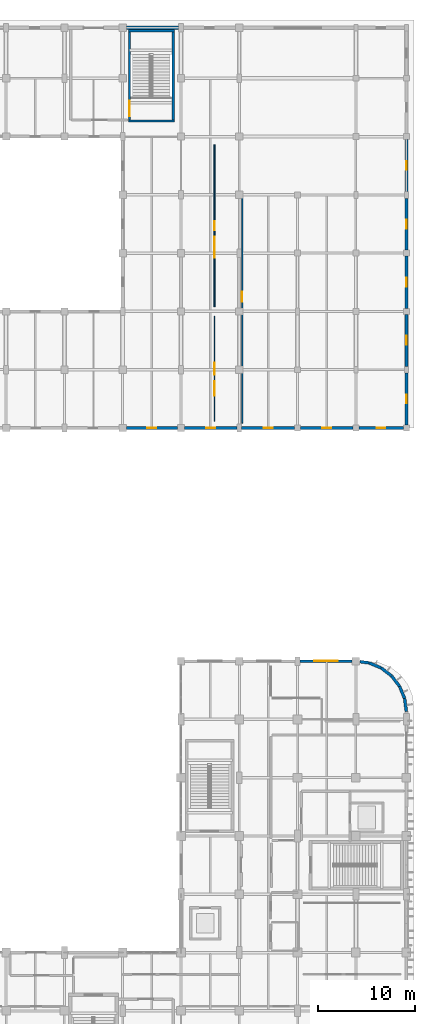
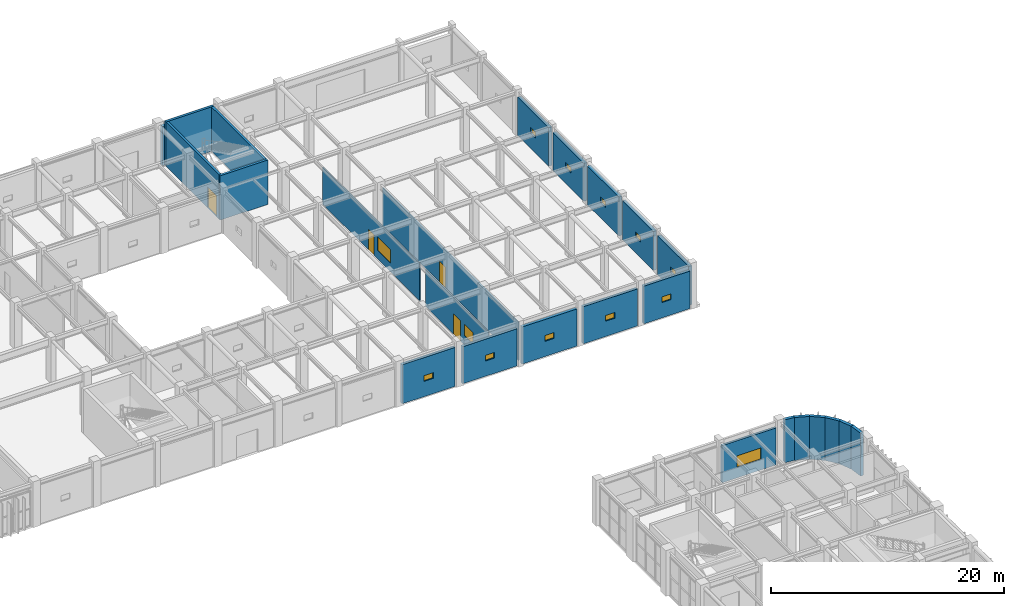
# One storey, part 52 of 76: 25 walls, 13 windows, 4 doors, 17 openings.
"""IFC4 building model written with IfcOpenShell, lengths in metres."""

from ifc_helpers import new_model, si_unit, direction, frame, frame_2d, origin, place, context, subcontext, project, spatial, rectangle, extrude, material, layer, layer_set, type_object, element, fill, save


model = new_model("IFC4")

# Units and contexts
model_context = context("Model", 3, precision=1e-05, world=origin(), true_north=direction((0.0, 1.0)))
body_context = subcontext(model_context, "Body", "Model", "MODEL_VIEW")
ifc_project = project(units=[si_unit("LENGTHUNIT", "METRE"), si_unit("AREAUNIT", "SQUARE_METRE"), si_unit("VOLUMEUNIT", "CUBIC_METRE"), si_unit("PLANEANGLEUNIT", "RADIAN"), si_unit("MASSUNIT", "GRAM", prefix="KILO")], contexts=[model_context])

# Site, building, storey
site_placement = place(None, origin())
site = spatial("IfcSite", under=ifc_project, at=site_placement, CompositionType="ELEMENT")
building_placement = place(site_placement, origin())
building = spatial("IfcBuilding", under=site, at=building_placement, Name="Varnakota Square Police Headquarters", CompositionType="ELEMENT")
storey_placement = place(building_placement, origin())
storey = spatial("IfcBuildingStorey", under=building, at=storey_placement, Name="L00", CompositionType="ELEMENT", Elevation=0.0)

# Walls
ifc_material_1 = material(Name="Concrete M40", Category="concrete")
ifc_layer_1 = layer(ifc_material_1, 0.22998046875, Name="Concrete M40")
ifc_layer_set_1 = layer_set([ifc_layer_1], Name="Concrete M40")
wall_type_1 = type_object("IfcWallType", Name="WL-CORE-230", PredefinedType="SHEAR", material=ifc_layer_set_1)
wall_1_placement = place(storey_placement, frame((132.5849609375, 100.60009765625, 0.0), z_axis=(0.0, 0.0, 1.0), x_axis=(1.0, 0.0, 0.0)))
element("IfcWall", 1, at=wall_1_placement, inside=storey, type_object=wall_type_1, Name="Core C8 shear wall L00 S", PredefinedType="SHEAR", context=body_context, shape_type="SweptSolid", body=[
    extrude(rectangle(XDim=4.72998046875, YDim=0.22998046875, at=frame_2d((2.364990234375, 0.0))), origin(), (0.0, 0.0, 1.0), 4.659912109375),
])
wall_2_placement = place(storey_placement, frame((137.199951171875, 100.485107421875, 0.0), z_axis=(0.0, 0.0, 1.0), x_axis=(0.0, 1.0, 0.0)))
element("IfcWall", 2, at=wall_2_placement, inside=storey, type_object=wall_type_1, Name="Core C8 shear wall L00 E", PredefinedType="SHEAR", context=body_context, shape_type="SweptSolid", body=[
    extrude(rectangle(XDim=9.52978515625, YDim=0.22998046875, at=frame_2d((4.764892578125, 0.0))), origin(), (0.0, 0.0, 1.0), 4.659912109375),
])
wall_3_placement = place(storey_placement, frame((137.31494140625, 109.89990234375, 0.0), z_axis=(0.0, 0.0, 1.0), x_axis=(-1.0, 0.0, 0.0)))
element("IfcWall", 3, at=wall_3_placement, inside=storey, type_object=wall_type_1, Name="Core C8 shear wall L00 N", PredefinedType="SHEAR", context=body_context, shape_type="SweptSolid", body=[
    extrude(rectangle(XDim=4.72998046875, YDim=0.22998046875, at=frame_2d((2.364990234375, 0.0))), origin(), (0.0, 0.0, 1.0), 4.659912109375),
])

# Wall, opening, door
wall_4_placement = place(storey_placement, frame((132.699951171875, 110.014892578125, 0.0), z_axis=(0.0, 0.0, 1.0), x_axis=(0.0, -1.0, 0.0)))
wall_4 = element("IfcWall", 4, at=wall_4_placement, inside=storey, type_object=wall_type_1, Name="Core C8 shear wall L00 W", PredefinedType="SHEAR", context=body_context, shape_type="SweptSolid", body=[
    extrude(rectangle(XDim=9.52978515625, YDim=0.22998046875, at=frame_2d((4.764892578125, 0.0))), origin(), (0.0, 0.0, 1.0), 4.659912109375),
])
opening_1_placement = place(wall_4_placement, frame((7.3349609375, 0.0, 0.0)))
opening_1 = element("IfcOpeningElement", 5, at=opening_1_placement, cuts=wall_4, Name="Opening SD114", PredefinedType="OPENING", context=body_context, shape_type="SweptSolid", body=[
    extrude(rectangle(XDim=1.60009765625, YDim=2.199951171875, at=frame_2d((0.800048828125, 1.10009765625))), frame((0.0, 0.125, 0.0), z_axis=(0.0, -1.0, 0.0), x_axis=(1.0, 0.0, 0.0)), (0.0, 0.0, 1.0), 0.25),
])
ifc_material_2 = material(Name="Powder-Coated Galvanised Steel", Category="steel")
door_type_1 = type_object("IfcDoorType", Name="DR-ST-160", OperationType="NOTDEFINED", PredefinedType="DOOR", material=ifc_material_2)
door_1_placement = place(opening_1_placement, origin())
door_1 = element("IfcDoor", 6, at=door_1_placement, inside=storey, type_object=door_type_1, Name="Protected stair door SD114", OperationType="DOUBLE_DOOR_SINGLE_SWING", OverallHeight=2.199951171875, OverallWidth=1.60009765625, PredefinedType="DOOR", context=body_context, shape_type="SweptSolid", body=[
    extrude(rectangle(XDim=1.60009765625, YDim=2.199951171875, at=frame_2d((0.800048828125, 1.10009765625))), frame((0.0, 0.02490234375, 0.0), z_axis=(0.0, -1.0, 0.0), x_axis=(1.0, 0.0, 0.0)), (0.0, 0.0, 1.0), 0.050048828125),
])
fill(opening_1, door_1)

# Wall, opening, window
ifc_layer_2 = layer(ifc_material_1, 0.239990234375, Name="Concrete M40")
ifc_layer_set_2 = layer_set([ifc_layer_2], Name="Concrete M40")
wall_type_2 = type_object("IfcWallType", Name="WL-EXT-240", PredefinedType="SOLIDWALL", material=ifc_layer_set_2)
wall_5_placement = place(storey_placement, frame((150.25390625, 45.0, 0.0), z_axis=(0.0, 0.0, 1.0), x_axis=(1.0, 0.0, 0.0)))
wall_5 = element("IfcWall", 7, at=wall_5_placement, inside=storey, type_object=wall_type_2, Name="Exterior wall EW-L00-0122", PredefinedType="SOLIDWALL", context=body_context, shape_type="SweptSolid", body=[
    extrude(rectangle(XDim=5.3671875, YDim=0.239990234375, at=frame_2d((2.68359375, 0.0))), origin(), (0.0, 0.0, 1.0), 3.889892578125),
])
opening_2_placement = place(wall_5_placement, frame((1.4833984375, 0.0, 1.10009765625)))
opening_2 = element("IfcOpeningElement", 8, at=opening_2_placement, cuts=wall_5, Name="Opening W06", PredefinedType="OPENING", context=body_context, shape_type="SweptSolid", body=[
    extrude(rectangle(XDim=2.39990234375, YDim=1.199951171875, at=frame_2d((1.199951171875, 0.60009765625))), frame((0.0, 0.1298828125, 0.0), z_axis=(0.0, -1.0, 0.0), x_axis=(1.0, 0.0, 0.0)), (0.0, 0.0, 1.0), 0.260009765625),
])
ifc_material_3 = material(Name="Thermally Broken Aluminium Double-Glazed Window", Category="aluminium")
window_type_1 = type_object("IfcWindowType", Name="WIN-06", PartitioningType="SINGLE_PANEL", PredefinedType="WINDOW", material=ifc_material_3)
window_1_placement = place(opening_2_placement, origin())
window_1 = element("IfcWindow", 9, at=window_1_placement, inside=storey, type_object=window_type_1, Name="Window WN-L00-0018", OverallHeight=1.199951171875, OverallWidth=2.39990234375, PartitioningType="SINGLE_PANEL", PredefinedType="WINDOW", context=body_context, shape_type="SweptSolid", body=[
    extrude(rectangle(XDim=2.39990234375, YDim=1.199951171875, at=frame_2d((1.199951171875, 0.60009765625))), frame((0.0, 0.030029296875, 0.0), z_axis=(0.0, -1.0, 0.0), x_axis=(1.0, 0.0, 0.0)), (0.0, 0.0, 1.0), 0.06005859375),
])
fill(opening_2, window_1)

# Walls
ifc_material_4 = material(Name="Precast concrete M40", Category="concrete")
ifc_layer_3 = layer(ifc_material_4, 0.300048828125, Name="Precast concrete M40")
ifc_layer_set_3 = layer_set([ifc_layer_3], Name="Precast concrete M40")
wall_type_3 = type_object("IfcWallType", Name="WL-EXT-300", PredefinedType="SOLIDWALL", material=ifc_layer_set_3)
wall_6_placement = place(storey_placement, frame((161.199951171875, 39.800048828125, 0.0), z_axis=(0.0, 0.0, 1.0), x_axis=(-0.130561507967, 0.991440211328, 0.0)))
element("IfcWall", 10, at=wall_6_placement, inside=storey, type_object=wall_type_3, Name="Exterior wall EW-L00-0135", PredefinedType="SOLIDWALL", context=body_context, shape_type="SweptSolid", body=[
    extrude(rectangle(XDim=1.357666015625, YDim=0.300048828125, at=frame_2d((0.6787109375, 0.0))), origin(), (0.0, 0.0, 1.0), 4.4951171875),
])
wall_7_placement = place(storey_placement, frame((161.022705078125, 41.14599609375, 0.0), z_axis=(0.0, 0.0, 1.0), x_axis=(-0.382621882407, 0.923905024937, 0.0)))
element("IfcWall", 11, at=wall_7_placement, inside=storey, type_object=wall_type_3, Name="Exterior wall EW-L00-0136", PredefinedType="SOLIDWALL", context=body_context, shape_type="SweptSolid", body=[
    extrude(rectangle(XDim=1.357177734375, YDim=0.300048828125, at=frame_2d((0.6787109375, 0.0))), origin(), (0.0, 0.0, 1.0), 4.4951171875),
])
wall_8_placement = place(storey_placement, frame((160.50341796875, 42.39990234375, 0.0), z_axis=(0.0, 0.0, 1.0), x_axis=(-0.60871087169, 0.793392131727, 0.0)))
element("IfcWall", 12, at=wall_8_placement, inside=storey, type_object=wall_type_3, Name="Exterior wall EW-L00-0137", PredefinedType="SOLIDWALL", context=body_context, shape_type="SweptSolid", body=[
    extrude(rectangle(XDim=1.357666015625, YDim=0.300048828125, at=frame_2d((0.6787109375, 0.0))), origin(), (0.0, 0.0, 1.0), 4.4951171875),
])
for number, where, z_axis, x_axis, name in (
    (13, (159.677001953125, 43.47705078125, 0.0), (0.0, 0.0, 1.0), (-0.793412351971, 0.608684515772, 0.0), "Exterior wall EW-L00-0138"),
    (14, (158.60009765625, 44.30322265625, 0.0), (0.0, 0.0, 1.0), (-0.92386777328, 0.382711820428, 0.0), "Exterior wall EW-L00-0139"),
):
    element("IfcWall", number, at=place(storey_placement, frame(where, z_axis=z_axis, x_axis=x_axis)), inside=storey, type_object=wall_type_3, Name=name, PredefinedType="SOLIDWALL", context=body_context, shape_type="SweptSolid", body=[
        extrude(rectangle(XDim=1.357421875, YDim=0.300048828125, at=frame_2d((0.6787109375, 0.0))), origin(), (0.0, 0.0, 1.0), 4.4951171875),
    ])
wall_9_placement = place(storey_placement, frame((157.345947265625, 44.82275390625, 0.0), z_axis=(0.0, 0.0, 1.0), x_axis=(-0.991434685755, 0.130603460452, 0.0)))
element("IfcWall", 15, at=wall_9_placement, inside=storey, type_object=wall_type_3, Name="Exterior wall EW-L00-0140", PredefinedType="SOLIDWALL", context=body_context, shape_type="SweptSolid", body=[
    extrude(rectangle(XDim=0.932861328125, YDim=0.300048828125, at=frame_2d((0.46630859375, 0.0))), origin(), (0.0, 0.0, 1.0), 4.4951171875),
])

# Wall, opening, window
wall_10_placement = place(storey_placement, frame((132.37890625, 69.0, 0.0), z_axis=(0.0, 0.0, 1.0), x_axis=(1.0, 0.0, 0.0)))
wall_10 = element("IfcWall", 16, at=wall_10_placement, inside=storey, type_object=wall_type_3, Name="Exterior wall EW-L00-0666", PredefinedType="SOLIDWALL", context=body_context, shape_type="SweptSolid", body=[
    extrude(rectangle(XDim=5.2421875, YDim=0.300048828125, at=frame_2d((2.62109375, 0.0))), origin(), (0.0, 0.0, 1.0), 4.090087890625),
])
opening_3_placement = place(wall_10_placement, frame((2.1708984375, 0.0, 1.60009765625)))
opening_3 = element("IfcOpeningElement", 17, at=opening_3_placement, cuts=wall_10, Name="Opening W13", PredefinedType="OPENING", context=body_context, shape_type="SweptSolid", body=[
    extrude(rectangle(XDim=0.89990234375, YDim=0.60009765625, at=frame_2d((0.449951171875, 0.300048828125))), frame((0.0, 0.159912109375, 0.0), z_axis=(0.0, -1.0, 0.0), x_axis=(1.0, 0.0, 0.0)), (0.0, 0.0, 1.0), 0.320068359375),
])
window_type_2 = type_object("IfcWindowType", Name="WIN-13", PartitioningType="SINGLE_PANEL", PredefinedType="WINDOW", material=ifc_material_3)
window_2_placement = place(opening_3_placement, origin())
window_2 = element("IfcWindow", 18, at=window_2_placement, inside=storey, type_object=window_type_2, Name="Window WN-L00-0172", OverallHeight=0.60009765625, OverallWidth=0.89990234375, PartitioningType="SINGLE_PANEL", PredefinedType="WINDOW", context=body_context, shape_type="SweptSolid", body=[
    extrude(rectangle(XDim=0.89990234375, YDim=0.60009765625, at=frame_2d((0.449951171875, 0.300048828125))), frame((0.0, 0.030029296875, 0.0), z_axis=(0.0, -1.0, 0.0), x_axis=(1.0, 0.0, 0.0)), (0.0, 0.0, 1.0), 0.06005859375),
])
fill(opening_3, window_2)

wall_11_placement = place(storey_placement, frame((138.37890625, 69.0, 0.0), z_axis=(0.0, 0.0, 1.0), x_axis=(1.0, 0.0, 0.0)))
wall_11 = element("IfcWall", 19, at=wall_11_placement, inside=storey, type_object=wall_type_3, Name="Exterior wall EW-L00-0667", PredefinedType="SOLIDWALL", context=body_context, shape_type="SweptSolid", body=[
    extrude(rectangle(XDim=5.3671875, YDim=0.300048828125, at=frame_2d((2.68359375, 0.0))), origin(), (0.0, 0.0, 1.0), 3.889892578125),
])
opening_4_placement = place(wall_11_placement, frame((2.2333984375, 0.0, 1.60009765625)))
opening_4 = element("IfcOpeningElement", 20, at=opening_4_placement, cuts=wall_11, Name="Opening W13", PredefinedType="OPENING", context=body_context, shape_type="SweptSolid", body=[
    extrude(rectangle(XDim=0.89990234375, YDim=0.60009765625, at=frame_2d((0.449951171875, 0.300048828125))), frame((0.0, 0.159912109375, 0.0), z_axis=(0.0, -1.0, 0.0), x_axis=(1.0, 0.0, 0.0)), (0.0, 0.0, 1.0), 0.320068359375),
])
window_3_placement = place(opening_4_placement, origin())
window_3 = element("IfcWindow", 21, at=window_3_placement, inside=storey, type_object=window_type_2, Name="Window WN-L00-0173", OverallHeight=0.60009765625, OverallWidth=0.89990234375, PartitioningType="SINGLE_PANEL", PredefinedType="WINDOW", context=body_context, shape_type="SweptSolid", body=[
    extrude(rectangle(XDim=0.89990234375, YDim=0.60009765625, at=frame_2d((0.449951171875, 0.300048828125))), frame((0.0, 0.030029296875, 0.0), z_axis=(0.0, -1.0, 0.0), x_axis=(1.0, 0.0, 0.0)), (0.0, 0.0, 1.0), 0.06005859375),
])
fill(opening_4, window_3)

wall_12_placement = place(storey_placement, frame((144.25390625, 69.0, 0.0), z_axis=(0.0, 0.0, 1.0), x_axis=(1.0, 0.0, 0.0)))
wall_12 = element("IfcWall", 22, at=wall_12_placement, inside=storey, type_object=wall_type_3, Name="Exterior wall EW-L00-0668", PredefinedType="SOLIDWALL", context=body_context, shape_type="SweptSolid", body=[
    extrude(rectangle(XDim=5.442138671875, YDim=0.300048828125, at=frame_2d((2.72119140625, 0.0))), origin(), (0.0, 0.0, 1.0), 3.889892578125),
])
opening_5_placement = place(wall_12_placement, frame((2.27099609375, 0.0, 1.60009765625)))
opening_5 = element("IfcOpeningElement", 23, at=opening_5_placement, cuts=wall_12, Name="Opening W13", PredefinedType="OPENING", context=body_context, shape_type="SweptSolid", body=[
    extrude(rectangle(XDim=0.89990234375, YDim=0.60009765625, at=frame_2d((0.449951171875, 0.300048828125))), frame((0.0, 0.159912109375, 0.0), z_axis=(0.0, -1.0, 0.0), x_axis=(1.0, 0.0, 0.0)), (0.0, 0.0, 1.0), 0.320068359375),
])
window_4_placement = place(opening_5_placement, origin())
window_4 = element("IfcWindow", 24, at=window_4_placement, inside=storey, type_object=window_type_2, Name="Window WN-L00-0174", OverallHeight=0.60009765625, OverallWidth=0.89990234375, PartitioningType="SINGLE_PANEL", PredefinedType="WINDOW", context=body_context, shape_type="SweptSolid", body=[
    extrude(rectangle(XDim=0.89990234375, YDim=0.60009765625, at=frame_2d((0.449951171875, 0.300048828125))), frame((0.0, 0.030029296875, 0.0), z_axis=(0.0, -1.0, 0.0), x_axis=(1.0, 0.0, 0.0)), (0.0, 0.0, 1.0), 0.06005859375),
])
fill(opening_5, window_4)

wall_13_placement = place(storey_placement, frame((150.303955078125, 69.0, 0.0), z_axis=(0.0, 0.0, 1.0), x_axis=(1.0, 0.0, 0.0)))
wall_13 = element("IfcWall", 25, at=wall_13_placement, inside=storey, type_object=wall_type_3, Name="Exterior wall EW-L00-0669", PredefinedType="SOLIDWALL", context=body_context, shape_type="SweptSolid", body=[
    extrude(rectangle(XDim=5.39208984375, YDim=0.300048828125, at=frame_2d((2.696044921875, 0.0))), origin(), (0.0, 0.0, 1.0), 3.889892578125),
])
opening_6_placement = place(wall_13_placement, frame((2.24609375, 0.0, 1.60009765625)))
opening_6 = element("IfcOpeningElement", 26, at=opening_6_placement, cuts=wall_13, Name="Opening W13", PredefinedType="OPENING", context=body_context, shape_type="SweptSolid", body=[
    extrude(rectangle(XDim=0.89990234375, YDim=0.60009765625, at=frame_2d((0.449951171875, 0.300048828125))), frame((0.0, 0.159912109375, 0.0), z_axis=(0.0, -1.0, 0.0), x_axis=(1.0, 0.0, 0.0)), (0.0, 0.0, 1.0), 0.320068359375),
])
window_5_placement = place(opening_6_placement, origin())
window_5 = element("IfcWindow", 27, at=window_5_placement, inside=storey, type_object=window_type_2, Name="Window WN-L00-0175", OverallHeight=0.60009765625, OverallWidth=0.89990234375, PartitioningType="SINGLE_PANEL", PredefinedType="WINDOW", context=body_context, shape_type="SweptSolid", body=[
    extrude(rectangle(XDim=0.89990234375, YDim=0.60009765625, at=frame_2d((0.449951171875, 0.300048828125))), frame((0.0, 0.030029296875, 0.0), z_axis=(0.0, -1.0, 0.0), x_axis=(1.0, 0.0, 0.0)), (0.0, 0.0, 1.0), 0.06005859375),
])
fill(opening_6, window_5)

wall_14_placement = place(storey_placement, frame((156.303955078125, 69.0, 0.0), z_axis=(0.0, 0.0, 1.0), x_axis=(1.0, 0.0, 0.0)))
wall_14 = element("IfcWall", 28, at=wall_14_placement, inside=storey, type_object=wall_type_3, Name="Exterior wall EW-L00-0670", PredefinedType="SOLIDWALL", context=body_context, shape_type="SweptSolid", body=[
    extrude(rectangle(XDim=4.592041015625, YDim=0.300048828125, at=frame_2d((2.2958984375, 0.0))), origin(), (0.0, 0.0, 1.0), 3.93994140625),
])
opening_7_placement = place(wall_14_placement, frame((1.845947265625, 0.0, 1.60009765625)))
opening_7 = element("IfcOpeningElement", 29, at=opening_7_placement, cuts=wall_14, Name="Opening W13", PredefinedType="OPENING", context=body_context, shape_type="SweptSolid", body=[
    extrude(rectangle(XDim=0.89990234375, YDim=0.60009765625, at=frame_2d((0.449951171875, 0.300048828125))), frame((0.0, 0.159912109375, 0.0), z_axis=(0.0, -1.0, 0.0), x_axis=(1.0, 0.0, 0.0)), (0.0, 0.0, 1.0), 0.320068359375),
])
window_6_placement = place(opening_7_placement, origin())
window_6 = element("IfcWindow", 30, at=window_6_placement, inside=storey, type_object=window_type_2, Name="Window WN-L00-0176", OverallHeight=0.60009765625, OverallWidth=0.89990234375, PartitioningType="SINGLE_PANEL", PredefinedType="WINDOW", context=body_context, shape_type="SweptSolid", body=[
    extrude(rectangle(XDim=0.89990234375, YDim=0.60009765625, at=frame_2d((0.449951171875, 0.300048828125))), frame((0.0, 0.030029296875, 0.0), z_axis=(0.0, -1.0, 0.0), x_axis=(1.0, 0.0, 0.0)), (0.0, 0.0, 1.0), 0.06005859375),
])
fill(opening_7, window_6)

ifc_layer_4 = layer(ifc_material_4, 0.320068359375, Name="Precast concrete M40")
ifc_layer_set_4 = layer_set([ifc_layer_4], Name="Precast concrete M40")
wall_type_4 = type_object("IfcWallType", Name="WL-EXT-320", PredefinedType="SOLIDWALL", material=ifc_layer_set_4)
wall_15_placement = place(storey_placement, frame((161.199951171875, 69.303955078125, 0.0), z_axis=(0.0, 0.0, 1.0), x_axis=(0.0, 1.0, 0.0)))
wall_15 = element("IfcWall", 31, at=wall_15_placement, inside=storey, type_object=wall_type_4, Name="Exterior wall EW-L00-0671", PredefinedType="SOLIDWALL", context=body_context, shape_type="SweptSolid", body=[
    extrude(rectangle(XDim=5.342041015625, YDim=0.320068359375, at=frame_2d((2.6708984375, 0.0))), origin(), (0.0, 0.0, 1.0), 4.08349609375),
])
opening_8_placement = place(wall_15_placement, frame((2.220947265625, 0.0, 1.60009765625)))
opening_8 = element("IfcOpeningElement", 32, at=opening_8_placement, cuts=wall_15, Name="Opening W13", PredefinedType="OPENING", context=body_context, shape_type="SweptSolid", body=[
    extrude(rectangle(XDim=0.89990234375, YDim=0.60009765625, at=frame_2d((0.449951171875, 0.300048828125))), frame((0.0, 0.169921875, 0.0), z_axis=(0.0, -1.0, 0.0), x_axis=(1.0, 0.0, 0.0)), (0.0, 0.0, 1.0), 0.340087890625),
])
window_7_placement = place(opening_8_placement, origin())
window_7 = element("IfcWindow", 33, at=window_7_placement, inside=storey, type_object=window_type_2, Name="Window WN-L00-0177", OverallHeight=0.60009765625, OverallWidth=0.89990234375, PartitioningType="SINGLE_PANEL", PredefinedType="WINDOW", context=body_context, shape_type="SweptSolid", body=[
    extrude(rectangle(XDim=0.89990234375, YDim=0.60009765625, at=frame_2d((0.449951171875, 0.300048828125))), frame((0.0, 0.030029296875, 0.0), z_axis=(0.0, -1.0, 0.0), x_axis=(1.0, 0.0, 0.0)), (0.0, 0.0, 1.0), 0.06005859375),
])
fill(opening_8, window_7)

wall_16_placement = place(storey_placement, frame((161.199951171875, 75.35400390625, 0.0), z_axis=(0.0, 0.0, 1.0), x_axis=(0.0, 1.0, 0.0)))
wall_16 = element("IfcWall", 34, at=wall_16_placement, inside=storey, type_object=wall_type_4, Name="Exterior wall EW-L00-0672", PredefinedType="SOLIDWALL", context=body_context, shape_type="SweptSolid", body=[
    extrude(rectangle(XDim=5.342041015625, YDim=0.320068359375, at=frame_2d((2.6708984375, 0.0))), origin(), (0.0, 0.0, 1.0), 4.08349609375),
])
opening_9_placement = place(wall_16_placement, frame((2.220947265625, 0.0, 1.60009765625)))
opening_9 = element("IfcOpeningElement", 35, at=opening_9_placement, cuts=wall_16, Name="Opening W13", PredefinedType="OPENING", context=body_context, shape_type="SweptSolid", body=[
    extrude(rectangle(XDim=0.89990234375, YDim=0.60009765625, at=frame_2d((0.449951171875, 0.300048828125))), frame((0.0, 0.169921875, 0.0), z_axis=(0.0, -1.0, 0.0), x_axis=(1.0, 0.0, 0.0)), (0.0, 0.0, 1.0), 0.340087890625),
])
window_8_placement = place(opening_9_placement, origin())
window_8 = element("IfcWindow", 36, at=window_8_placement, inside=storey, type_object=window_type_2, Name="Window WN-L00-0178", OverallHeight=0.60009765625, OverallWidth=0.89990234375, PartitioningType="SINGLE_PANEL", PredefinedType="WINDOW", context=body_context, shape_type="SweptSolid", body=[
    extrude(rectangle(XDim=0.89990234375, YDim=0.60009765625, at=frame_2d((0.449951171875, 0.300048828125))), frame((0.0, 0.030029296875, 0.0), z_axis=(0.0, -1.0, 0.0), x_axis=(1.0, 0.0, 0.0)), (0.0, 0.0, 1.0), 0.06005859375),
])
fill(opening_9, window_8)

wall_17_placement = place(storey_placement, frame((161.199951171875, 81.303955078125, 0.0), z_axis=(0.0, 0.0, 1.0), x_axis=(0.0, 1.0, 0.0)))
wall_17 = element("IfcWall", 37, at=wall_17_placement, inside=storey, type_object=wall_type_4, Name="Exterior wall EW-L00-0673", PredefinedType="SOLIDWALL", context=body_context, shape_type="SweptSolid", body=[
    extrude(rectangle(XDim=5.39208984375, YDim=0.320068359375, at=frame_2d((2.696044921875, 0.0))), origin(), (0.0, 0.0, 1.0), 4.08349609375),
])
opening_10_placement = place(wall_17_placement, frame((2.24609375, 0.0, 1.60009765625)))
opening_10 = element("IfcOpeningElement", 38, at=opening_10_placement, cuts=wall_17, Name="Opening W13", PredefinedType="OPENING", context=body_context, shape_type="SweptSolid", body=[
    extrude(rectangle(XDim=0.89990234375, YDim=0.60009765625, at=frame_2d((0.449951171875, 0.300048828125))), frame((0.0, 0.169921875, 0.0), z_axis=(0.0, -1.0, 0.0), x_axis=(1.0, 0.0, 0.0)), (0.0, 0.0, 1.0), 0.340087890625),
])
window_9_placement = place(opening_10_placement, origin())
window_9 = element("IfcWindow", 39, at=window_9_placement, inside=storey, type_object=window_type_2, Name="Window WN-L00-0179", OverallHeight=0.60009765625, OverallWidth=0.89990234375, PartitioningType="SINGLE_PANEL", PredefinedType="WINDOW", context=body_context, shape_type="SweptSolid", body=[
    extrude(rectangle(XDim=0.89990234375, YDim=0.60009765625, at=frame_2d((0.449951171875, 0.300048828125))), frame((0.0, 0.030029296875, 0.0), z_axis=(0.0, -1.0, 0.0), x_axis=(1.0, 0.0, 0.0)), (0.0, 0.0, 1.0), 0.06005859375),
])
fill(opening_10, window_9)

wall_18_placement = place(storey_placement, frame((161.199951171875, 87.303955078125, 0.0), z_axis=(0.0, 0.0, 1.0), x_axis=(0.0, 1.0, 0.0)))
wall_18 = element("IfcWall", 40, at=wall_18_placement, inside=storey, type_object=wall_type_4, Name="Exterior wall EW-L00-0674", PredefinedType="SOLIDWALL", context=body_context, shape_type="SweptSolid", body=[
    extrude(rectangle(XDim=5.342041015625, YDim=0.320068359375, at=frame_2d((2.6708984375, 0.0))), origin(), (0.0, 0.0, 1.0), 3.989990234375),
])
opening_11_placement = place(wall_18_placement, frame((2.220947265625, 0.0, 1.60009765625)))
opening_11 = element("IfcOpeningElement", 41, at=opening_11_placement, cuts=wall_18, Name="Opening W13", PredefinedType="OPENING", context=body_context, shape_type="SweptSolid", body=[
    extrude(rectangle(XDim=0.89990234375, YDim=0.60009765625, at=frame_2d((0.449951171875, 0.300048828125))), frame((0.0, 0.169921875, 0.0), z_axis=(0.0, -1.0, 0.0), x_axis=(1.0, 0.0, 0.0)), (0.0, 0.0, 1.0), 0.340087890625),
])
window_10_placement = place(opening_11_placement, origin())
window_10 = element("IfcWindow", 42, at=window_10_placement, inside=storey, type_object=window_type_2, Name="Window WN-L00-0180", OverallHeight=0.60009765625, OverallWidth=0.89990234375, PartitioningType="SINGLE_PANEL", PredefinedType="WINDOW", context=body_context, shape_type="SweptSolid", body=[
    extrude(rectangle(XDim=0.89990234375, YDim=0.60009765625, at=frame_2d((0.449951171875, 0.300048828125))), frame((0.0, 0.030029296875, 0.0), z_axis=(0.0, -1.0, 0.0), x_axis=(1.0, 0.0, 0.0)), (0.0, 0.0, 1.0), 0.06005859375),
])
fill(opening_11, window_10)

wall_19_placement = place(storey_placement, frame((161.199951171875, 93.35400390625, 0.0), z_axis=(0.0, 0.0, 1.0), x_axis=(0.0, 1.0, 0.0)))
wall_19 = element("IfcWall", 43, at=wall_19_placement, inside=storey, type_object=wall_type_4, Name="Exterior wall EW-L00-0675", PredefinedType="SOLIDWALL", context=body_context, shape_type="SweptSolid", body=[
    extrude(rectangle(XDim=5.342041015625, YDim=0.320068359375, at=frame_2d((2.6708984375, 0.0))), origin(), (0.0, 0.0, 1.0), 4.0400390625),
])
opening_12_placement = place(wall_19_placement, frame((2.220947265625, 0.0, 1.60009765625)))
opening_12 = element("IfcOpeningElement", 44, at=opening_12_placement, cuts=wall_19, Name="Opening W13", PredefinedType="OPENING", context=body_context, shape_type="SweptSolid", body=[
    extrude(rectangle(XDim=0.89990234375, YDim=0.60009765625, at=frame_2d((0.449951171875, 0.300048828125))), frame((0.0, 0.169921875, 0.0), z_axis=(0.0, -1.0, 0.0), x_axis=(1.0, 0.0, 0.0)), (0.0, 0.0, 1.0), 0.340087890625),
])
window_11_placement = place(opening_12_placement, origin())
window_11 = element("IfcWindow", 45, at=window_11_placement, inside=storey, type_object=window_type_2, Name="Window WN-L00-0181", OverallHeight=0.60009765625, OverallWidth=0.89990234375, PartitioningType="SINGLE_PANEL", PredefinedType="WINDOW", context=body_context, shape_type="SweptSolid", body=[
    extrude(rectangle(XDim=0.89990234375, YDim=0.60009765625, at=frame_2d((0.449951171875, 0.300048828125))), frame((0.0, 0.030029296875, 0.0), z_axis=(0.0, -1.0, 0.0), x_axis=(1.0, 0.0, 0.0)), (0.0, 0.0, 1.0), 0.06005859375),
])
fill(opening_12, window_11)

# Wall
ifc_layer_5 = layer(ifc_material_1, 0.340087890625, Name="Concrete M40")
ifc_layer_set_5 = layer_set([ifc_layer_5], Name="Concrete M40")
wall_type_5 = type_object("IfcWallType", Name="WL-EXT-340", PredefinedType="SOLIDWALL", material=ifc_layer_set_5)
wall_20_placement = place(storey_placement, frame((132.37890625, 110.199951171875, 0.0), z_axis=(0.0, 0.0, 1.0), x_axis=(1.0, 0.0, 0.0)))
element("IfcWall", 46, at=wall_20_placement, inside=storey, type_object=wall_type_5, Name="Exterior wall EW-L00-0657", PredefinedType="SOLIDWALL", context=body_context, shape_type="SweptSolid", body=[
    extrude(rectangle(XDim=5.3671875, YDim=0.340087890625, at=frame_2d((2.68359375, 0.0))), origin(), (0.0, 0.0, 1.0), 4.08349609375),
])

# Wall, openings, door, window
ifc_material_5 = material(Name="Lightweight Demountable Office Partition", Category="gypsum")
ifc_layer_6 = layer(ifc_material_5, 0.094970703125, Name="Lightweight Demountable Office Partition")
ifc_layer_set_6 = layer_set([ifc_layer_6], Name="Lightweight Demountable Office Partition")
wall_type_6 = type_object("IfcWallType", Name="WL-PRT-095", PredefinedType="PARTITIONING", material=ifc_layer_set_6)
wall_21_placement = place(storey_placement, frame((141.449951171875, 80.5, 0.0), z_axis=(0.0, 0.0, 1.0), x_axis=(9.0340357e-05, -0.999999995919, 0.0)))
wall_21 = element("IfcWall", 47, at=wall_21_placement, inside=storey, type_object=wall_type_6, Name="Interior partition PW-L00-0054 (Detention Medical Examination Suite)", PredefinedType="PARTITIONING", context=body_context, shape_type="SweptSolid", body=[
    extrude(rectangle(XDim=10.809814453125, YDim=0.094970703125, at=frame_2d((5.40478515625, 0.0))), origin(), (0.0, 0.0, 1.0), 3.889892578125),
])
opening_13_placement = place(wall_21_placement, frame((4.77978515625, 0.0, 0.0)))
opening_13 = element("IfcOpeningElement", 48, at=opening_13_placement, cuts=wall_21, Name="Opening D186", PredefinedType="OPENING", context=body_context, shape_type="SweptSolid", body=[
    extrude(rectangle(XDim=1.25, YDim=2.14990234375, at=frame_2d((0.625, 1.074951171875))), frame((0.0, 0.057373046875, 0.0), z_axis=(0.0, -1.0, 0.0), x_axis=(1.0, 0.0, 0.0)), (0.0, 0.0, 1.0), 0.114990234375),
])
opening_14_placement = place(wall_21_placement, frame((6.679931640625, 0.0, 1.0)))
opening_14 = element("IfcOpeningElement", 49, at=opening_14_placement, cuts=wall_21, Name="Opening IW07", PredefinedType="OPENING", context=body_context, shape_type="SweptSolid", body=[
    extrude(rectangle(XDim=1.5, YDim=1.199951171875, at=frame_2d((0.75, 0.60009765625))), frame((0.0, 0.057373046875, 0.0), z_axis=(0.0, -1.0, 0.0), x_axis=(1.0, 0.0, 0.0)), (0.0, 0.0, 1.0), 0.114990234375),
])
ifc_material_6 = material(Name="Stainless-Edge Hygienic Phenolic Composite")
door_type_2 = type_object("IfcDoorType", Name="DR-MED-125", OperationType="NOTDEFINED", PredefinedType="DOOR", material=ifc_material_6)
door_2_placement = place(opening_13_placement, origin())
door_2 = element("IfcDoor", 50, at=door_2_placement, inside=storey, type_object=door_type_2, Name="Room door D186 (Detention Medical Examination Suite)", OperationType="SINGLE_SWING_RIGHT", OverallHeight=2.14990234375, OverallWidth=1.25, PredefinedType="DOOR", context=body_context, shape_type="SweptSolid", body=[
    extrude(rectangle(XDim=1.25, YDim=2.14990234375, at=frame_2d((0.625, 1.074951171875))), frame((0.0, 0.02490234375, 0.0), z_axis=(0.0, -1.0, 0.0), x_axis=(1.0, 0.0, 0.0)), (0.0, 0.0, 1.0), 0.050048828125),
])
fill(opening_13, door_2)
ifc_material_7 = material(Name="Acoustic Laminated Interior Vision Glazing", Category="glass")
window_type_3 = type_object("IfcWindowType", Name="WIN-INT-07", PartitioningType="SINGLE_PANEL", PredefinedType="WINDOW", material=ifc_material_7)
window_12_placement = place(opening_14_placement, origin())
window_12 = element("IfcWindow", 51, at=window_12_placement, inside=storey, type_object=window_type_3, Name="Interior observation window IWN-L00-015", OverallHeight=1.199951171875, OverallWidth=1.5, PartitioningType="SINGLE_PANEL", PredefinedType="WINDOW", context=body_context, shape_type="SweptSolid", body=[
    extrude(rectangle(XDim=1.5, YDim=1.199951171875, at=frame_2d((0.75, 0.60009765625))), frame((0.0, 0.030029296875, 0.0), z_axis=(0.0, -1.0, 0.0), x_axis=(1.0, 0.0, 0.0)), (0.0, 0.0, 1.0), 0.06005859375),
])
fill(opening_14, window_12)

ifc_material_8 = material(Name="Glazed Clean-Lab Modular Partition", Category="gypsum")
ifc_layer_7 = layer(ifc_material_8, 0.10498046875, Name="Glazed Clean-Lab Modular Partition")
ifc_layer_set_7 = layer_set([ifc_layer_7], Name="Glazed Clean-Lab Modular Partition")
wall_type_7 = type_object("IfcWallType", Name="WL-PRT-105", PredefinedType="PARTITIONING", material=ifc_layer_set_7)
wall_22_placement = place(storey_placement, frame((141.449951171875, 98.14990234375, 0.0), z_axis=(0.0, 0.0, 1.0), x_axis=(0.0, -1.0, 0.0)))
wall_22 = element("IfcWall", 52, at=wall_22_placement, inside=storey, type_object=wall_type_7, Name="Interior partition PW-L00-0051 (Custody Suite Booking Hall)", PredefinedType="PARTITIONING", context=body_context, shape_type="SweptSolid", body=[
    extrude(rectangle(XDim=16.64990234375, YDim=0.10498046875, at=frame_2d((8.324951171875, 0.0))), origin(), (0.0, 0.0, 1.0), 3.889892578125),
])
opening_15_placement = place(wall_22_placement, frame((7.85009765625, 0.0, 0.0)))
opening_15 = element("IfcOpeningElement", 53, at=opening_15_placement, cuts=wall_22, Name="Opening D183", PredefinedType="OPENING", context=body_context, shape_type="SweptSolid", body=[
    extrude(rectangle(XDim=0.949951171875, YDim=2.14990234375, at=frame_2d((0.47509765625, 1.074951171875))), frame((0.0, 0.0625, 0.0), z_axis=(0.0, -1.0, 0.0), x_axis=(1.0, 0.0, 0.0)), (0.0, 0.0, 1.0), 0.125),
])
opening_16_placement = place(wall_22_placement, frame((9.449951171875, 0.0, 0.89990234375)))
opening_16 = element("IfcOpeningElement", 54, at=opening_16_placement, cuts=wall_22, Name="Opening IW06", PredefinedType="OPENING", context=body_context, shape_type="SweptSolid", body=[
    extrude(rectangle(XDim=2.199951171875, YDim=1.39990234375, at=frame_2d((1.10009765625, 0.699951171875))), frame((0.0, 0.0625, 0.0), z_axis=(0.0, -1.0, 0.0), x_axis=(1.0, 0.0, 0.0)), (0.0, 0.0, 1.0), 0.125),
])
ifc_material_9 = material(Name="Solid-Core Teak Veneer Hardwood", Category="wood")
door_type_3 = type_object("IfcDoorType", Name="DR-OFF-095", OperationType="NOTDEFINED", PredefinedType="DOOR", material=ifc_material_9)
door_3_placement = place(opening_15_placement, origin())
door_3 = element("IfcDoor", 55, at=door_3_placement, inside=storey, type_object=door_type_3, Name="Room door D183 (Custody Suite Booking Hall)", OperationType="SINGLE_SWING_LEFT", OverallHeight=2.14990234375, OverallWidth=0.949951171875, PredefinedType="DOOR", context=body_context, shape_type="SweptSolid", body=[
    extrude(rectangle(XDim=0.949951171875, YDim=2.14990234375, at=frame_2d((0.47509765625, 1.074951171875))), frame((0.0, 0.02490234375, 0.0), z_axis=(0.0, -1.0, 0.0), x_axis=(1.0, 0.0, 0.0)), (0.0, 0.0, 1.0), 0.050048828125),
])
fill(opening_15, door_3)
window_type_4 = type_object("IfcWindowType", Name="WIN-INT-06", PartitioningType="SINGLE_PANEL", PredefinedType="WINDOW", material=ifc_material_7)
window_13_placement = place(opening_16_placement, origin())
window_13 = element("IfcWindow", 56, at=window_13_placement, inside=storey, type_object=window_type_4, Name="Interior observation window IWN-L00-014", OverallHeight=1.39990234375, OverallWidth=2.199951171875, PartitioningType="SINGLE_PANEL", PredefinedType="WINDOW", context=body_context, shape_type="SweptSolid", body=[
    extrude(rectangle(XDim=2.199951171875, YDim=1.39990234375, at=frame_2d((1.10009765625, 0.699951171875))), frame((0.0, 0.030029296875, 0.0), z_axis=(0.0, -1.0, 0.0), x_axis=(1.0, 0.0, 0.0)), (0.0, 0.0, 1.0), 0.06005859375),
])
fill(opening_16, window_13)

# Wall, opening, door
ifc_material_10 = material(Name="Acoustic Insulated Metal-Stud Partition", Category="gypsum")
ifc_layer_8 = layer(ifc_material_10, 0.125, Name="Acoustic Insulated Metal-Stud Partition")
ifc_layer_set_8 = layer_set([ifc_layer_8], Name="Acoustic Insulated Metal-Stud Partition")
wall_type_8 = type_object("IfcWallType", Name="WL-PRT-125", PredefinedType="PARTITIONING", material=ifc_layer_set_8)
wall_23_placement = place(storey_placement, frame((144.300048828125, 69.5, 0.0), z_axis=(0.0, 0.0, 1.0), x_axis=(0.0, 1.0, 0.0)))
wall_23 = element("IfcWall", 57, at=wall_23_placement, inside=storey, type_object=wall_type_8, Name="Interior partition PW-L00-0055 (Detainee Property Store)", PredefinedType="PARTITIONING", context=body_context, shape_type="SweptSolid", body=[
    extrude(rectangle(XDim=23.300048828125, YDim=0.125, at=frame_2d((11.64990234375, 0.0))), origin(), (0.0, 0.0, 1.0), 3.989990234375),
])
opening_17_placement = place(wall_23_placement, frame((12.47509765625, 0.0, 0.0)))
opening_17 = element("IfcOpeningElement", 58, at=opening_17_placement, cuts=wall_23, Name="Opening D187", PredefinedType="OPENING", context=body_context, shape_type="SweptSolid", body=[
    extrude(rectangle(XDim=1.050048828125, YDim=2.199951171875, at=frame_2d((0.52490234375, 1.10009765625))), frame((0.0, 0.072509765625, 0.0), z_axis=(0.0, -1.0, 0.0), x_axis=(1.0, 0.0, 0.0)), (0.0, 0.0, 1.0), 0.14501953125),
])
ifc_material_11 = material(Name="Anodised Aluminium and Laminated Acoustic Glass", Category="aluminium")
door_type_4 = type_object("IfcDoorType", Name="DR-OFF-105", OperationType="NOTDEFINED", PredefinedType="DOOR", material=ifc_material_11)
door_4_placement = place(opening_17_placement, origin())
door_4 = element("IfcDoor", 59, at=door_4_placement, inside=storey, type_object=door_type_4, Name="Room door D187 (Detainee Property Store)", OperationType="SINGLE_SWING_LEFT", OverallHeight=2.199951171875, OverallWidth=1.050048828125, PredefinedType="DOOR", context=body_context, shape_type="SweptSolid", body=[
    extrude(rectangle(XDim=1.050048828125, YDim=2.199951171875, at=frame_2d((0.52490234375, 1.10009765625))), frame((0.0, 0.02490234375, 0.0), z_axis=(0.0, -1.0, 0.0), x_axis=(1.0, 0.0, 0.0)), (0.0, 0.0, 1.0), 0.050048828125),
])
fill(opening_17, door_4)

save(model, "model.ifc")
